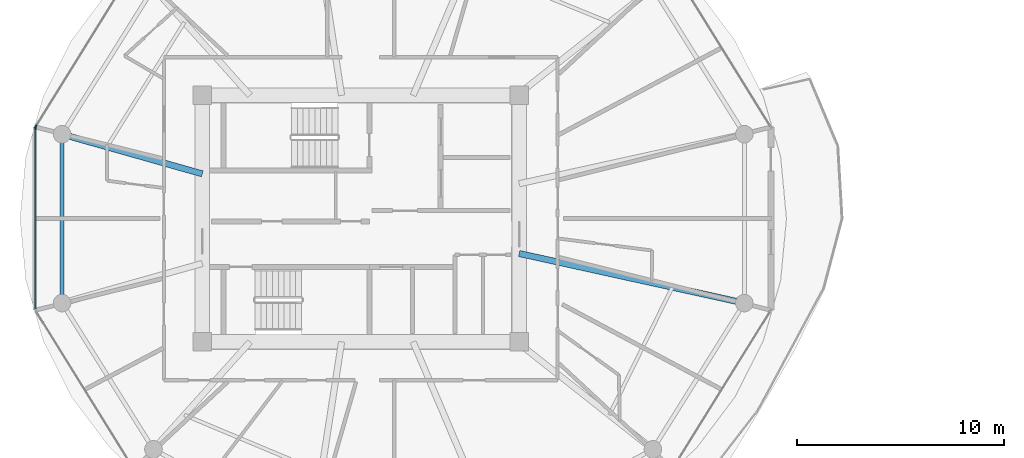
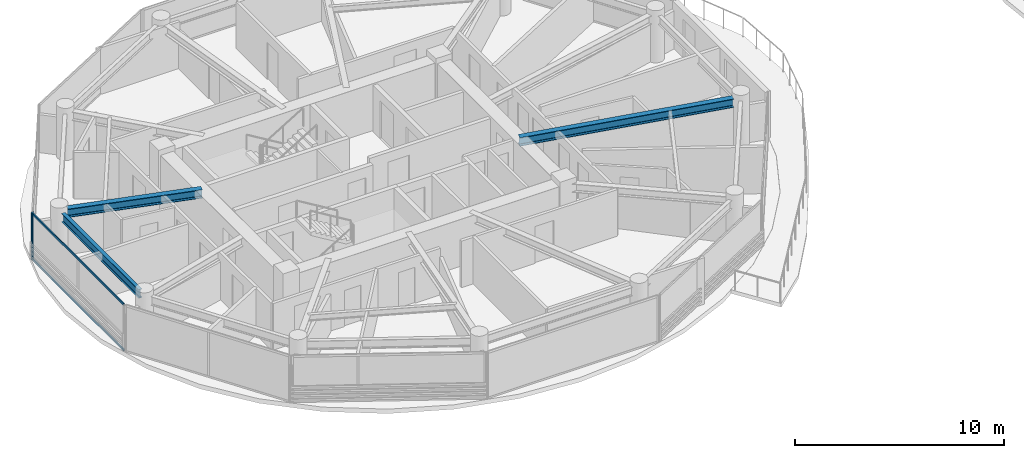
# One storey, part 3 of 22: 4 members, 3 beams, 2 elements without a shape of their own.
"""IFC4 building model written with IfcOpenShell, lengths in metres."""

from ifc_helpers import new_model, si_unit, direction, frame, origin, origin_2d, place, context, subcontext, project, spatial, rectangle, i_section, extrude, source, transform, mapped, material, layer, layer_set, material_profile, profile_set, type_object, type_shapes, element, aggregate, save


model = new_model("IFC4")

# Units and contexts
model_context = context("Model", 3, precision=1e-05, world=origin(), true_north=direction((0.0, 1.0)))
body_context = subcontext(model_context, "Body", "Model", "MODEL_VIEW")
ifc_project = project(units=[si_unit("LENGTHUNIT", "METRE"), si_unit("AREAUNIT", "SQUARE_METRE"), si_unit("VOLUMEUNIT", "CUBIC_METRE"), si_unit("PLANEANGLEUNIT", "RADIAN"), si_unit("MASSUNIT", "GRAM", prefix="KILO")], contexts=[model_context])

# Site, building, storey
site_placement = place(None, origin())
site = spatial("IfcSite", under=ifc_project, at=site_placement, CompositionType="ELEMENT")
building_placement = place(site_placement, origin())
building = spatial("IfcBuilding", under=site, at=building_placement, Name="Norrkilde Senior Care Towers", CompositionType="ELEMENT")
storey_placement = place(building_placement, frame((0.0, 0.0, 126.75)))
storey = spatial("IfcBuildingStorey", under=building, at=storey_placement, Name="L39", CompositionType="ELEMENT", Elevation=126.75)

# Beams
ifc_material_1 = material(Name="Steel S355", Category="steel")
ifc_material_profile_1 = material_profile(ifc_material_1, i_section(OverallWidth=0.300048828125, OverallDepth=0.5, WebThickness=0.014404296875, FlangeThickness=0.028076171875, FilletRadius=0.027099609375, at=origin_2d()), Name="HEB 500")
ifc_profile_set_1 = profile_set([ifc_material_profile_1], Name="Steel S355")
beam_type_1 = type_object("IfcBeamType", Name="Radial Floor Beam Z2 HEB500", PredefinedType="BEAM", material=ifc_profile_set_1)
shared_shape_1 = source(origin(), body_context, "Body", "SweptSolid", [
    extrude(i_section(OverallWidth=0.300048828125, OverallDepth=0.5, WebThickness=0.014404296875, FlangeThickness=0.028076171875, FilletRadius=0.027099609375, at=origin_2d()), origin(), (0.0, 0.0, 1.0), 10.744384765625),
])
beam_1_placement = place(storey_placement, frame((-20.35009765625, -1.683837890625, 2.47998046875), z_axis=(0.976618711422, -0.214978818724, 0.0), x_axis=(0.214978818724, 0.976618711422, 0.0)))
element("IfcBeam", 1, at=beam_1_placement, inside=storey, type_object=beam_type_1, Name="L39 Drum W Radial Floor Beam 12", PredefinedType="BEAM", context=body_context, shape_type="MappedRepresentation", body=[
    mapped(shared_shape_1, transform((0.0, 0.0, 0.0), x_axis=(1.0, 0.0, 0.0), y_axis=(0.0, 1.0, 0.0), z_axis=(0.0, 0.0, 1.0), scale=1.0)),
])
ifc_material_profile_2 = material_profile(ifc_material_1, i_section(OverallWidth=0.199951171875, OverallDepth=0.5, WebThickness=0.01025390625, FlangeThickness=0.01611328125, FilletRadius=0.02099609375, at=origin_2d()), Name="IPE 500")
ifc_profile_set_2 = profile_set([ifc_material_profile_2], Name="Steel S355")
beam_type_2 = type_object("IfcBeamType", Name="Perimeter Ring Spandrel Z2 IPE500", PredefinedType="SPANDREL", material=ifc_profile_set_2)
shared_shape_2 = source(origin(), body_context, "Body", "SweptSolid", [
    extrude(i_section(OverallWidth=0.199951171875, OverallDepth=0.5, WebThickness=0.01025390625, FlangeThickness=0.01611328125, FilletRadius=0.02099609375, at=origin_2d()), origin(), (0.0, 0.0, 1.0), 7.3828125),
])
type_shapes(beam_type_2, [shared_shape_2])
beam_2_placement = place(storey_placement, frame((-42.4189453125, 3.69140625, 2.47998046875), z_axis=(0.0, -1.0, 0.0), x_axis=(1.0, 0.0, 0.0)))
element("IfcBeam", 2, at=beam_2_placement, inside=storey, type_object=beam_type_2, Name="L39 Drum W Perimeter Spandrel 06", PredefinedType="SPANDREL", context=body_context, shape_type="MappedRepresentation", body=[
    mapped(shared_shape_2, transform((0.0, 0.0, 0.0), x_axis=(1.0, 0.0, 0.0), y_axis=(0.0, 1.0, 0.0), z_axis=(0.0, 0.0, 1.0), scale=1.0)),
])
shared_shape_3 = source(origin(), body_context, "Body", "SweptSolid", [
    extrude(i_section(OverallWidth=0.300048828125, OverallDepth=0.5, WebThickness=0.014404296875, FlangeThickness=0.028076171875, FilletRadius=0.027099609375, at=origin_2d()), origin(), (0.0, 0.0, 1.0), 6.6494140625),
])
type_shapes(beam_type_1, [shared_shape_1, shared_shape_3])
beam_3_placement = place(storey_placement, frame((-35.64990234375, 2.162841796875, 2.47998046875), z_axis=(-0.962289138357, 0.27202870106, 0.0), x_axis=(-0.27202870106, -0.962289138357, 0.0)))
element("IfcBeam", 3, at=beam_3_placement, inside=storey, type_object=beam_type_1, Name="L39 Drum W Radial Floor Beam 06", PredefinedType="BEAM", context=body_context, shape_type="MappedRepresentation", body=[
    mapped(shared_shape_3, transform((0.0, 0.0, 0.0), x_axis=(1.0, 0.0, 0.0), y_axis=(0.0, 1.0, 0.0), z_axis=(0.0, 0.0, 1.0), scale=1.0)),
])

# Curtain wall, member
ifc_material_2 = material(Name="Triple Low-E Insulated Glazing", Category="glass")
ifc_layer = layer(ifc_material_2, 0.195068359375)
ifc_layer_set = layer_set([ifc_layer], Name="Triple Low-E Insulated Glazing")
curtain_wall_type = type_object("IfcCurtainWallType", Name="CW3 Zone 2 Assisted Living Curtain Wall", PredefinedType="NOTDEFINED", material=ifc_layer_set)
curtain_wall_1_placement = place(storey_placement, origin())
curtain_wall_1 = element("IfcCurtainWall", 4, at=curtain_wall_1_placement, inside=storey, type_object=curtain_wall_type, Name="L39 Drum W Curtain Wall 04", PredefinedType="NOTDEFINED")
ifc_material_3 = material(Name="Anodised Aluminium", Category="aluminium")
ifc_material_profile_3 = material_profile(ifc_material_3, rectangle(XDim=0.06494140625, YDim=0.159912109375, at=origin_2d()), Name="ALU MULL 65x160")
ifc_profile_set_3 = profile_set([ifc_material_profile_3], Name="Anodised Aluminium")
member_type_1 = type_object("IfcMemberType", Name="Curtain Wall Mullion Z1-Z2 65x160", PredefinedType="MULLION", material=ifc_profile_set_3)
shared_shape_4 = source(origin(), body_context, "Body", "SweptSolid", [
    extrude(rectangle(XDim=0.06494140625, YDim=0.159912109375, at=origin_2d()), origin(), (0.0, 0.0, 1.0), 2.72998046875),
])
type_shapes(member_type_1, [shared_shape_4])
member_1_placement = place(storey_placement, frame((-43.6865234375, 4.4482421875, 0.0), z_axis=(0.0, 0.0, 1.0), x_axis=(-0.849410171862, 0.527733228002, 0.0)))
member_1 = element("IfcMember", 5, at=member_1_placement, type_object=member_type_1, Name="CW-3 mullion 1", PredefinedType="MULLION", context=body_context, shape_type="MappedRepresentation", body=[
    mapped(shared_shape_4, transform((0.0, 0.0, 0.0), x_axis=(1.0, 0.0, 0.0), y_axis=(0.0, 1.0, 0.0), z_axis=(0.0, 0.0, 1.0), scale=1.0)),
])
aggregate(curtain_wall_1, [member_1])

# Curtain wall, members
curtain_wall_2_placement = place(storey_placement, origin())
curtain_wall_2 = element("IfcCurtainWall", 6, at=curtain_wall_2_placement, inside=storey, type_object=curtain_wall_type, Name="L39 Drum W Curtain Wall 05", PredefinedType="NOTDEFINED")
member_2_placement = place(storey_placement, frame((-43.70361328125, 4.38818359375, 0.0), z_axis=(0.0, 0.0, 1.0), x_axis=(-1.0, 0.0, 0.0)))
member_2 = element("IfcMember", 7, at=member_2_placement, type_object=member_type_1, Name="CW-3 mullion 2", PredefinedType="MULLION", context=body_context, shape_type="MappedRepresentation", body=[
    mapped(shared_shape_4, transform((0.0, 0.0, 0.0), x_axis=(1.0, 0.0, 0.0), y_axis=(0.0, 1.0, 0.0), z_axis=(0.0, 0.0, 1.0), scale=1.0)),
])
ifc_material_profile_4 = material_profile(ifc_material_3, rectangle(XDim=0.06005859375, YDim=0.1201171875, at=origin_2d()), Name="ALU TRAN 60x120")
ifc_profile_set_4 = profile_set([ifc_material_profile_4], Name="Anodised Aluminium")
member_type_2 = type_object("IfcMemberType", Name="Curtain Wall Transom Typical 60x120", PredefinedType="USERDEFINED", material=ifc_profile_set_4)
shared_shape_5 = source(origin(), body_context, "Body", "SweptSolid", [
    extrude(rectangle(XDim=0.06005859375, YDim=0.1201171875, at=origin_2d()), origin(), (0.0, 0.0, 1.0), 8.71142578125),
])
type_shapes(member_type_2, [shared_shape_5])
member_3_placement = place(storey_placement, frame((-43.70361328125, -4.355712890625, 0.030029296875), z_axis=(0.0, 1.0, 0.0), x_axis=(-1.0, 0.0, 0.0)))
member_3 = element("IfcMember", 8, at=member_3_placement, type_object=member_type_2, Name="CW-3 transom 1.1", ObjectType="TRANSOM", PredefinedType="USERDEFINED", context=body_context, shape_type="MappedRepresentation", body=[
    mapped(shared_shape_5, transform((0.0, 0.0, 0.0), x_axis=(1.0, 0.0, 0.0), y_axis=(0.0, 1.0, 0.0), z_axis=(0.0, 0.0, 1.0), scale=1.0)),
])
member_4_placement = place(storey_placement, frame((-43.70361328125, -4.355712890625, 2.699951171875), z_axis=(0.0, 1.0, 0.0), x_axis=(-1.0, 0.0, 0.0)))
member_4 = element("IfcMember", 9, at=member_4_placement, type_object=member_type_2, Name="CW-3 transom 1.2", ObjectType="TRANSOM", PredefinedType="USERDEFINED", context=body_context, shape_type="MappedRepresentation", body=[
    mapped(shared_shape_5, transform((0.0, 0.0, 0.0), x_axis=(1.0, 0.0, 0.0), y_axis=(0.0, 1.0, 0.0), z_axis=(0.0, 0.0, 1.0), scale=1.0)),
])
aggregate(curtain_wall_2, [member_2, member_3, member_4])

save(model, "model.ifc")
